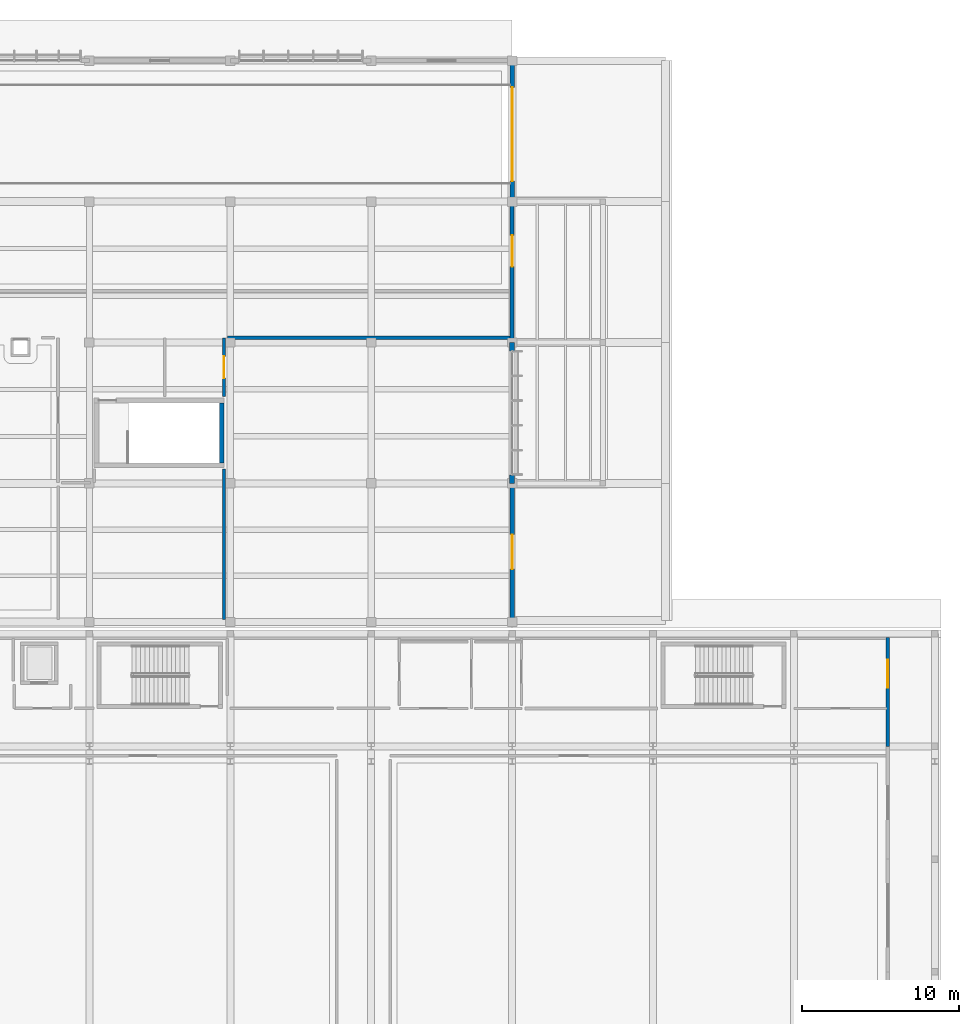
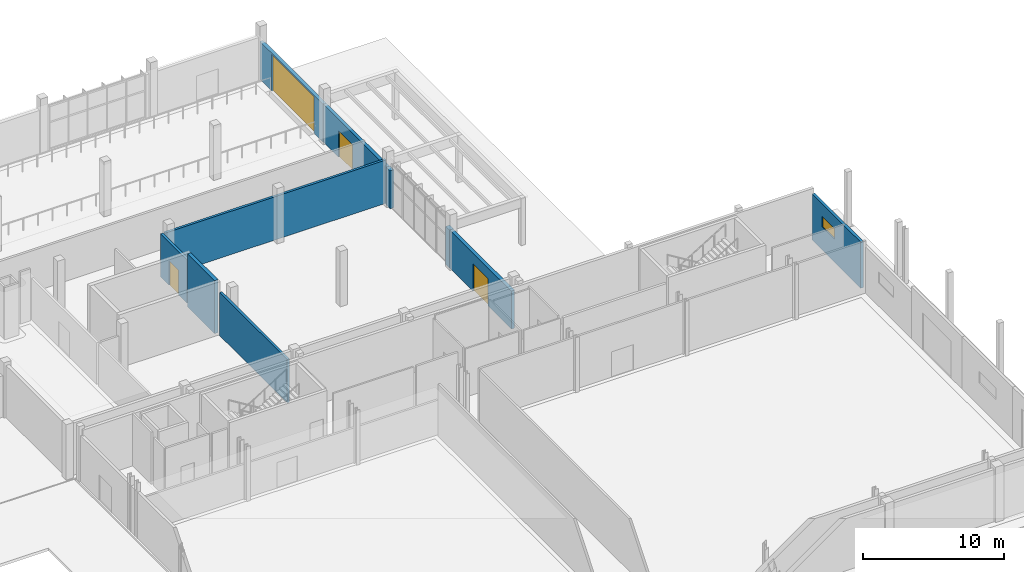
# One storey, part 129 of 151: 10 walls, 4 doors, 1 window, 5 openings.
"""IFC4 building model written with IfcOpenShell, lengths in metres."""

from ifc_helpers import new_model, si_unit, direction, frame, frame_2d, origin, place, context, subcontext, project, spatial, rectangle, extrude, material, layer, layer_set, type_object, element, fill, save


model = new_model("IFC4")

# Units and contexts
model_context = context("Model", 3, precision=1e-05, world=origin(), true_north=direction((0.0, 1.0)))
body_context = subcontext(model_context, "Body", "Model", "MODEL_VIEW")
ifc_project = project(units=[si_unit("LENGTHUNIT", "METRE"), si_unit("AREAUNIT", "SQUARE_METRE"), si_unit("VOLUMEUNIT", "CUBIC_METRE"), si_unit("PLANEANGLEUNIT", "RADIAN"), si_unit("MASSUNIT", "GRAM", prefix="KILO")], contexts=[model_context])

# Site, building, storey
site_placement = place(None, origin())
site = spatial("IfcSite", under=ifc_project, at=site_placement, CompositionType="ELEMENT")
building_placement = place(site_placement, origin())
building = spatial("IfcBuilding", under=site, at=building_placement, Name="Chiffa Square Polytechnic", CompositionType="ELEMENT")
storey_placement = place(building_placement, origin())
storey = spatial("IfcBuildingStorey", under=building, at=storey_placement, Name="L00", CompositionType="ELEMENT", Elevation=0.0)

# Wall
ifc_material_1 = material(Name="Concrete C40/50", Category="concrete")
ifc_layer_1 = layer(ifc_material_1, 0.300048828125, Name="Concrete C40/50")
ifc_layer_set_1 = layer_set([ifc_layer_1], Name="Concrete C40/50")
wall_type_1 = type_object("IfcWallType", Name="WL-CORE-300", PredefinedType="SHEAR", material=ifc_layer_set_1)
wall_1_placement = place(storey_placement, frame((129.64990234375, 105.10009765625, 0.0), z_axis=(0.0, 0.0, 1.0), x_axis=(0.0, 1.0, 0.0)))
element("IfcWall", 1, at=wall_1_placement, inside=storey, type_object=wall_type_1, Name="Core or enclosure wall WC-CORE-B1E-L00-EAST", PredefinedType="SHEAR", context=body_context, shape_type="SweptSolid", body=[
    extrude(rectangle(XDim=3.849853515625, YDim=0.300048828125, at=frame_2d((1.9248046875, 0.0))), origin(), (0.0, 0.0, 1.0), 4.60009765625),
])

# Wall, opening, window
ifc_material_2 = material(Name="Precast concrete C40/50", Category="concrete")
ifc_layer_2 = layer(ifc_material_2, 0.219970703125, Name="Precast concrete C40/50")
ifc_layer_set_2 = layer_set([ifc_layer_2], Name="Precast concrete C40/50")
wall_type_2 = type_object("IfcWallType", Name="WL-EXT-PC220", PredefinedType="SOLIDWALL", material=ifc_layer_set_2)
wall_2_placement = place(storey_placement, frame((172.199951171875, 87.0, 0.0), z_axis=(0.0, 0.0, 1.0), x_axis=(0.0, 1.0, 0.0)))
wall_2 = element("IfcWall", 2, at=wall_2_placement, inside=storey, type_object=wall_type_2, Name="Exterior wall WE-V2-L00-0107", PredefinedType="SOLIDWALL", context=body_context, shape_type="SweptSolid", body=[
    extrude(rectangle(XDim=6.949951171875, YDim=0.219970703125, at=frame_2d((3.47509765625, 0.0))), origin(), (0.0, 0.0, 1.0), 4.0048828125),
])
opening_1_placement = place(wall_2_placement, frame((3.73291015625, 0.0, 2.0)))
opening_1 = element("IfcOpeningElement", 3, at=opening_1_placement, cuts=wall_2, Name="Opening WCL-05", PredefinedType="OPENING", context=body_context, shape_type="SweptSolid", body=[
    extrude(rectangle(XDim=1.800048828125, YDim=0.89990234375, at=frame_2d((0.89990234375, 0.449951171875))), frame((0.0, 0.1201171875, 0.0), z_axis=(0.0, -1.0, 0.0), x_axis=(1.0, 0.0, 0.0)), (0.0, 0.0, 1.0), 0.239990234375),
])
ifc_material_3 = material(Name="Double glazing in thermally broken aluminium frame", Category="aluminium")
window_type = type_object("IfcWindowType", Name="WIN-CLR-1800X0900", PartitioningType="DOUBLE_PANEL_VERTICAL", PredefinedType="WINDOW", material=ifc_material_3)
window_placement = place(opening_1_placement, origin())
window = element("IfcWindow", 4, at=window_placement, inside=storey, type_object=window_type, Name="Facade window WN-L00-0106", OverallHeight=0.89990234375, OverallWidth=1.800048828125, PartitioningType="DOUBLE_PANEL_VERTICAL", PredefinedType="WINDOW", context=body_context, shape_type="SweptSolid", body=[
    extrude(rectangle(XDim=1.800048828125, YDim=0.89990234375, at=frame_2d((0.89990234375, 0.449951171875))), frame((0.0, 0.030029296875, 0.0), z_axis=(0.0, -1.0, 0.0), x_axis=(1.0, 0.0, 0.0)), (0.0, 0.0, 1.0), 0.06005859375),
])
fill(opening_1, window)

# Wall, opening, door
ifc_layer_3 = layer(ifc_material_2, 0.260009765625, Name="Precast concrete C40/50")
ifc_layer_set_3 = layer_set([ifc_layer_3], Name="Precast concrete C40/50")
wall_type_3 = type_object("IfcWallType", Name="WL-EXT-PC260", PredefinedType="SOLIDWALL", material=ifc_layer_set_3)
wall_3_placement = place(storey_placement, frame((148.199951171875, 112.800048828125, 0.0), z_axis=(0.0, 0.0, 1.0), x_axis=(0.0, 1.0, 0.0)))
wall_3 = element("IfcWall", 5, at=wall_3_placement, inside=storey, type_object=wall_type_3, Name="Exterior wall WE-V5-L00-0234", PredefinedType="SOLIDWALL", context=body_context, shape_type="SweptSolid", body=[
    extrude(rectangle(XDim=9.0, YDim=0.260009765625, at=frame_2d((4.5, 0.0))), origin(), (0.0, 0.0, 1.0), 3.284912109375),
])
opening_2_placement = place(wall_3_placement, frame((4.85009765625, 0.0, 0.0)))
opening_2 = element("IfcOpeningElement", 6, at=opening_2_placement, cuts=wall_3, Name="Opening DE-L00-047", PredefinedType="OPENING", context=body_context, shape_type="SweptSolid", body=[
    extrude(rectangle(XDim=2.0, YDim=2.300048828125, at=frame_2d((1.0, 1.14990234375))), frame((0.0, 0.14013671875, 0.0), z_axis=(0.0, -1.0, 0.0), x_axis=(1.0, 0.0, 0.0)), (0.0, 0.0, 1.0), 0.280029296875),
])
ifc_material_4 = material(Name="Aluminium and laminated safety glass", Category="aluminium")
door_type_1 = type_object("IfcDoorType", Name="DR-EXIT-DBL-2000", OperationType="DOUBLE_DOOR_SINGLE_SWING", PredefinedType="DOOR", material=ifc_material_4)
door_1_placement = place(opening_2_placement, origin())
door_1 = element("IfcDoor", 7, at=door_1_placement, inside=storey, type_object=door_type_1, Name="Exterior door DE-L00-047", OperationType="DOUBLE_DOOR_SINGLE_SWING", OverallHeight=2.300048828125, OverallWidth=2.0, PredefinedType="DOOR", context=body_context, shape_type="SweptSolid", body=[
    extrude(rectangle(XDim=2.0, YDim=2.300048828125, at=frame_2d((1.0, 1.14990234375))), frame((0.0, 0.02490234375, 0.0), z_axis=(0.0, -1.0, 0.0), x_axis=(1.0, 0.0, 0.0)), (0.0, 0.0, 1.0), 0.050048828125),
])
fill(opening_2, door_1)

ifc_layer_4 = layer(ifc_material_2, 0.280029296875, Name="Precast concrete C40/50")
ifc_layer_set_4 = layer_set([ifc_layer_4], Name="Precast concrete C40/50")
wall_type_4 = type_object("IfcWallType", Name="WL-EXT-PC280", PredefinedType="SOLIDWALL", material=ifc_layer_set_4)
wall_4_placement = place(storey_placement, frame((148.199951171875, 95.050048828125, 0.0), z_axis=(0.0, 0.0, 1.0), x_axis=(0.0, 1.0, 0.0)))
wall_4 = element("IfcWall", 8, at=wall_4_placement, inside=storey, type_object=wall_type_4, Name="Exterior wall WE-V5-L00-0232", PredefinedType="SOLIDWALL", context=body_context, shape_type="SweptSolid", body=[
    extrude(rectangle(XDim=8.75, YDim=0.280029296875, at=frame_2d((4.375, 0.0))), origin(), (0.0, 0.0, 1.0), 3.284912109375),
])
opening_3_placement = place(wall_4_placement, frame((3.27490234375, 0.0, 0.0)))
opening_3 = element("IfcOpeningElement", 9, at=opening_3_placement, cuts=wall_4, Name="Opening DE-L00-046", PredefinedType="OPENING", context=body_context, shape_type="SweptSolid", body=[
    extrude(rectangle(XDim=2.199951171875, YDim=2.35009765625, at=frame_2d((1.10009765625, 1.175048828125))), frame((0.0, 0.14990234375, 0.0), z_axis=(0.0, -1.0, 0.0), x_axis=(1.0, 0.0, 0.0)), (0.0, 0.0, 1.0), 0.300048828125),
])
door_type_2 = type_object("IfcDoorType", Name="DR-EXIT-DBL-2200", OperationType="DOUBLE_DOOR_SINGLE_SWING", PredefinedType="DOOR", material=ifc_material_4)
door_2_placement = place(opening_3_placement, origin())
door_2 = element("IfcDoor", 10, at=door_2_placement, inside=storey, type_object=door_type_2, Name="Exterior door DE-L00-046", OperationType="DOUBLE_DOOR_SINGLE_SWING", OverallHeight=2.35009765625, OverallWidth=2.199951171875, PredefinedType="DOOR", context=body_context, shape_type="SweptSolid", body=[
    extrude(rectangle(XDim=2.199951171875, YDim=2.35009765625, at=frame_2d((1.10009765625, 1.175048828125))), frame((0.0, 0.02490234375, 0.0), z_axis=(0.0, -1.0, 0.0), x_axis=(1.0, 0.0, 0.0)), (0.0, 0.0, 1.0), 0.050048828125),
])
fill(opening_3, door_2)

wall_5_placement = place(storey_placement, frame((148.199951171875, 121.800048828125, 0.0), z_axis=(0.0, 0.0, 1.0), x_axis=(0.0, 1.0, 0.0)))
wall_5 = element("IfcWall", 11, at=wall_5_placement, inside=storey, type_object=wall_type_4, Name="Ramp portal wall WE-V5-L00-RAMP-0235", PredefinedType="SOLIDWALL", context=body_context, shape_type="SweptSolid", body=[
    extrude(rectangle(XDim=9.0, YDim=0.280029296875, at=frame_2d((4.5, 0.0))), origin(), (0.0, 0.0, 1.0), 3.284912109375),
])
opening_4_placement = place(wall_5_placement, frame((1.300048828125, 0.0, 0.0)))
opening_4 = element("IfcOpeningElement", 12, at=opening_4_placement, cuts=wall_5, Name="Opening DG-L00-001", PredefinedType="OPENING", context=body_context, shape_type="SweptSolid", body=[
    extrude(rectangle(XDim=6.0, YDim=3.1650390625, at=frame_2d((3.0, 1.58251953125))), frame((0.0, 0.14990234375, 0.0), z_axis=(0.0, -1.0, 0.0), x_axis=(1.0, 0.0, 0.0)), (0.0, 0.0, 1.0), 0.300048828125),
])
ifc_material_5 = material(Name="Galvanized steel roller shutter", Category="steel")
door_type_3 = type_object("IfcDoorType", Name="DR-GATE-6000X3400", OperationType="ROLLINGUP", PredefinedType="GATE", material=ifc_material_5)
door_3_placement = place(opening_4_placement, origin())
door_3 = element("IfcDoor", 13, at=door_3_placement, inside=storey, type_object=door_type_3, Name="Basement car park acoustic roller shutter gate DG-L00-001", OperationType="ROLLINGUP", OverallHeight=3.1650390625, OverallWidth=6.0, PredefinedType="GATE", context=body_context, shape_type="SweptSolid", body=[
    extrude(rectangle(XDim=6.0, YDim=3.1650390625, at=frame_2d((3.0, 1.58251953125))), frame((0.0, 0.02490234375, 0.0), z_axis=(0.0, -1.0, 0.0), x_axis=(1.0, 0.0, 0.0)), (0.0, 0.0, 1.0), 0.050048828125),
])
fill(opening_4, door_3)

# Walls
ifc_layer_5 = layer(ifc_material_2, 0.320068359375, Name="Precast concrete C40/50")
ifc_layer_set_5 = layer_set([ifc_layer_5], Name="Precast concrete C40/50")
wall_type_5 = type_object("IfcWallType", Name="WL-EXT-PC320", PredefinedType="SOLIDWALL", material=ifc_layer_set_5)
for number, where, z_axis, x_axis, name in (
    (14, (148.199951171875, 103.800048828125, 0.0), (0.0, 0.0, 1.0), (0.0, 1.0, 0.0), "Facade column pier V5-L00-0233L"),
    (15, (148.199951171875, 112.260009765625, 0.0), (0.0, 0.0, 1.0), (0.0, 1.0, 0.0), "Facade column pier V5-L00-0233R"),
):
    element("IfcWall", number, at=place(storey_placement, frame(where, z_axis=z_axis, x_axis=x_axis)), inside=storey, type_object=wall_type_5, Name=name, PredefinedType="SOLIDWALL", context=body_context, shape_type="SweptSolid", body=[
        extrude(rectangle(XDim=0.5400390625, YDim=0.320068359375, at=frame_2d((0.27001953125, 0.0))), origin(), (0.0, 0.0, 1.0), 3.284912109375),
    ])

# Wall, opening, door
ifc_material_6 = material(Name="Autoclaved aerated concrete blockwork", Category="masonry")
ifc_layer_6 = layer(ifc_material_6, 0.199951171875, Name="Autoclaved aerated concrete blockwork")
ifc_layer_set_6 = layer_set([ifc_layer_6], Name="Autoclaved aerated concrete blockwork")
wall_type_6 = type_object("IfcWallType", Name="WL-PART-EI120-200", PredefinedType="PARTITIONING", material=ifc_layer_set_6)
wall_6_placement = place(storey_placement, frame((129.800048828125, 109.340087890625, 0.0), z_axis=(0.0, 0.0, 1.0), x_axis=(0.0, 1.0, 0.0)))
wall_6 = element("IfcWall", 16, at=wall_6_placement, inside=storey, type_object=wall_type_6, Name="Interior partition WP-V5-L00-0164", PredefinedType="PARTITIONING", context=body_context, shape_type="SweptSolid", body=[
    extrude(rectangle(XDim=3.760009765625, YDim=0.199951171875, at=frame_2d((1.8798828125, 0.0))), origin(), (0.0, 0.0, 1.0), 3.7548828125),
])
opening_5_placement = place(wall_6_placement, frame((1.179931640625, 0.0, 0.0)))
opening_5 = element("IfcOpeningElement", 17, at=opening_5_placement, cuts=wall_6, Name="Opening DI-L00-099", PredefinedType="OPENING", context=body_context, shape_type="SweptSolid", body=[
    extrude(rectangle(XDim=1.39990234375, YDim=2.14990234375, at=frame_2d((0.699951171875, 1.074951171875))), frame((0.0, 0.10986328125, 0.0), z_axis=(0.0, -1.0, 0.0), x_axis=(1.0, 0.0, 0.0)), (0.0, 0.0, 1.0), 0.219970703125),
])
ifc_material_7 = material(Name="Louvred painted steel plant door", Category="steel")
door_type_4 = type_object("IfcDoorType", Name="DR-PLANT-1400", OperationType="DOUBLE_DOOR_SINGLE_SWING", PredefinedType="DOOR", material=ifc_material_7)
door_4_placement = place(opening_5_placement, origin())
door_4 = element("IfcDoor", 18, at=door_4_placement, inside=storey, type_object=door_type_4, Name="Interior room door DI-L00-099", OperationType="DOUBLE_DOOR_SINGLE_SWING", OverallHeight=2.14990234375, OverallWidth=1.39990234375, PredefinedType="DOOR", context=body_context, shape_type="SweptSolid", body=[
    extrude(rectangle(XDim=1.39990234375, YDim=2.14990234375, at=frame_2d((0.699951171875, 1.074951171875))), frame((0.0, 0.02490234375, 0.0), z_axis=(0.0, -1.0, 0.0), x_axis=(1.0, 0.0, 0.0)), (0.0, 0.0, 1.0), 0.050048828125),
])
fill(opening_5, door_4)

# Walls
wall_7_placement = place(storey_placement, frame((130.02001953125, 113.10009765625, 0.0), z_axis=(0.0, 0.0, 1.0), x_axis=(1.0, 0.0, 0.0)))
element("IfcWall", 19, at=wall_7_placement, inside=storey, type_object=wall_type_6, Name="Interior partition WP-V5-L00-0165", PredefinedType="PARTITIONING", context=body_context, shape_type="SweptSolid", body=[
    extrude(rectangle(XDim=18.125, YDim=0.199951171875, at=frame_2d((9.0625, 0.0))), origin(), (0.0, 0.0, 1.0), 3.7548828125),
])
wall_8_placement = place(storey_placement, frame((129.800048828125, 95.10498046875, 0.0), z_axis=(0.0, 0.0, 1.0), x_axis=(0.0, 1.0, 0.0)))
element("IfcWall", 20, at=wall_8_placement, inside=storey, type_object=wall_type_6, Name="Interior partition WP-V5-L00-0166", PredefinedType="PARTITIONING", context=body_context, shape_type="SweptSolid", body=[
    extrude(rectangle(XDim=9.60498046875, YDim=0.199951171875, at=frame_2d((4.802490234375, 0.0))), origin(), (0.0, 0.0, 1.0), 3.7548828125),
])

save(model, "model.ifc")
